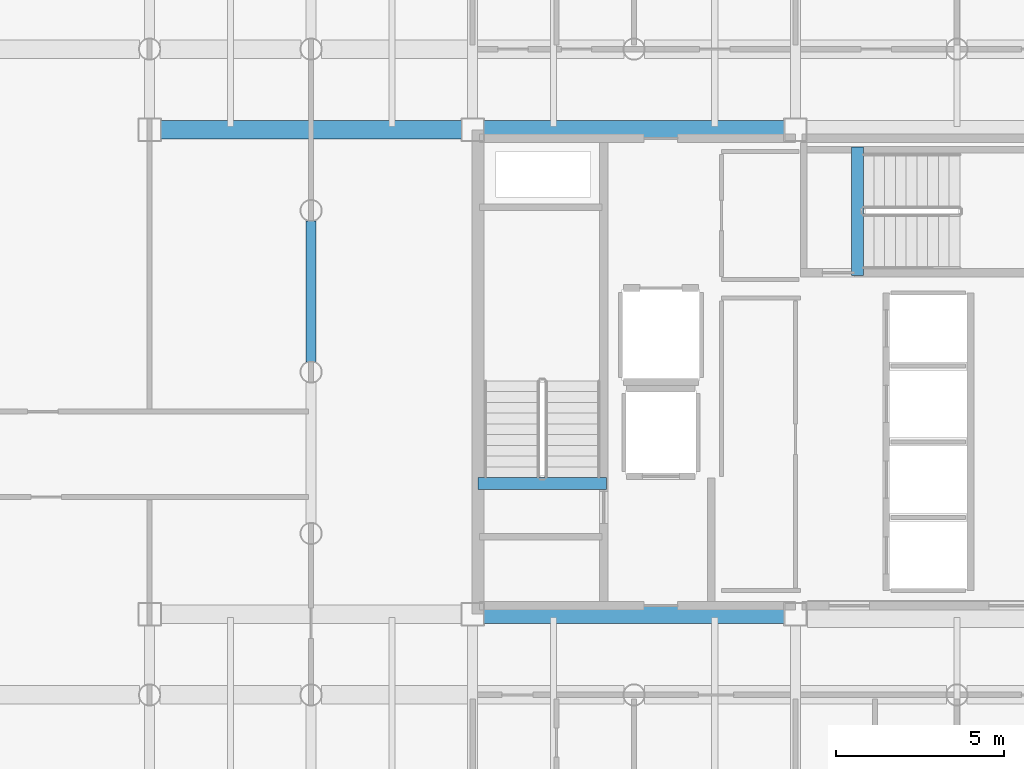
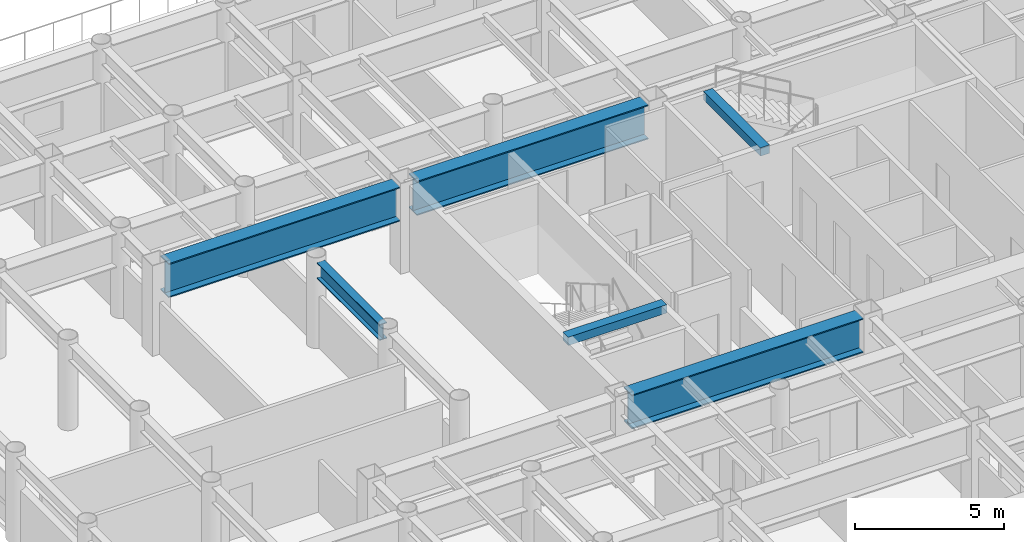
# One storey, part 6 of 22: 6 beams.
"""IFC4 building model written with IfcOpenShell, lengths in metres."""

from ifc_helpers import new_model, si_unit, direction, frame, origin, origin_2d, place, context, subcontext, project, spatial, rectangle, i_section, extrude, material, material_profile, profile_set, type_object, element, save


model = new_model("IFC4")

# Units and contexts
model_context = context("Model", 3, precision=1e-05, world=origin(), true_north=direction((0.0, 1.0)))
body_context = subcontext(model_context, "Body", "Model", "MODEL_VIEW")
ifc_project = project(units=[si_unit("LENGTHUNIT", "METRE"), si_unit("AREAUNIT", "SQUARE_METRE"), si_unit("VOLUMEUNIT", "CUBIC_METRE"), si_unit("PLANEANGLEUNIT", "RADIAN"), si_unit("MASSUNIT", "GRAM", prefix="KILO")], contexts=[model_context])

# Site, building, storey
site_placement = place(None, origin())
site = spatial("IfcSite", under=ifc_project, at=site_placement, CompositionType="ELEMENT")
building_placement = place(site_placement, origin())
building = spatial("IfcBuilding", under=site, at=building_placement, Name="Kallvorn Hotel Tower", CompositionType="ELEMENT")
storey_placement = place(building_placement, frame((0.0, 0.0, 154.39990234375)))
storey = spatial("IfcBuildingStorey", under=building, at=storey_placement, Name="L38", CompositionType="ELEMENT", Elevation=154.39990234375)

# Beams
ifc_material_1 = material(Name="Structural steel S355JR", Category="steel")
ifc_material_profile_1 = material_profile(ifc_material_1, i_section(OverallWidth=0.300048828125, OverallDepth=0.64990234375, WebThickness=0.01611328125, FlangeThickness=0.031005859375, at=origin_2d()), Name="HE 650 B")
ifc_profile_set_1 = profile_set([ifc_material_profile_1], Name="Structural steel S355JR")
beam_type_1 = type_object("IfcBeamType", Name="BM_HE650B", PredefinedType="BEAM", material=ifc_profile_set_1)
beam_1_placement = place(storey_placement, frame((-19.199951171875, 0.304931640625, 3.195068359375), z_axis=(0.0, 1.0, 0.0), x_axis=(-1.0, 0.0, 0.0)))
element("IfcBeam", 1, at=beam_1_placement, inside=storey, type_object=beam_type_1, Name="L39 Primary Y-Girder 94", PredefinedType="BEAM", context=body_context, shape_type="SweptSolid", body=[
    extrude(i_section(OverallWidth=0.300048828125, OverallDepth=0.64990234375, WebThickness=0.01611328125, FlangeThickness=0.031005859375, at=origin_2d()), origin(), (0.0, 0.0, 1.0), 4.190185546875),
])
ifc_material_2 = material(Name="Structural steel S355JR", Category="steel")
ifc_material_profile_2 = material_profile(ifc_material_2, i_section(OverallWidth=0.550048828125, OverallDepth=1.39990234375, WebThickness=0.02490234375, FlangeThickness=0.044921875, at=origin_2d()), Name="PG 1400x550x25x45")
ifc_profile_set_2 = profile_set([ifc_material_profile_2], Name="Structural steel S355JR")
beam_type_2 = type_object("IfcBeamType", Name="BM_PG_1400", PredefinedType="BEAM", material=ifc_profile_set_2)
for number, where, z_axis, x_axis, name in (
    (2, (-14.074951171875, -7.199951171875, 2.820068359375), (1.0, 0.0, 0.0), (0.0, 1.0, 0.0), "L39 Primary X-Girder 34"),
    (3, (-23.675048828125, 7.199951171875, 2.820068359375), (1.0, 0.0, 0.0), (0.0, 1.0, 0.0), "L39 Primary X-Girder 37"),
    (4, (-14.074951171875, 7.199951171875, 2.820068359375), (1.0, 0.0, 0.0), (0.0, 1.0, 0.0), "L39 Primary X-Girder 38"),
):
    element("IfcBeam", number, at=place(storey_placement, frame(where, z_axis=z_axis, x_axis=x_axis)), inside=storey, type_object=beam_type_2, Name=name, PredefinedType="BEAM", context=body_context, shape_type="SweptSolid", body=[
        extrude(i_section(OverallWidth=0.550048828125, OverallDepth=1.39990234375, WebThickness=0.02490234375, FlangeThickness=0.044921875, at=origin_2d()), origin(), (0.0, 0.0, 1.0), 8.949951171875),
    ])
ifc_material_3 = material(Name="Concrete C50/60", Category="concrete")
ifc_material_profile_3 = material_profile(ifc_material_3, rectangle(XDim=0.360107421875, YDim=0.340087890625, at=origin_2d()), Name="RC 360x340")
ifc_profile_set_3 = profile_set([ifc_material_profile_3], Name="Concrete C50/60")
beam_type_3 = type_object("IfcBeamType", Name="BM_RC_400x360", PredefinedType="BEAM", material=ifc_profile_set_3)
beam_2_placement = place(storey_placement, frame((-10.419921875, -3.31005859375, 3.35009765625), z_axis=(-1.0, 0.0, 0.0), x_axis=(0.0, -1.0, 0.0)))
element("IfcBeam", 5, at=beam_2_placement, inside=storey, type_object=beam_type_3, Name="L39 Stair ST1 Arrival Trimmer Beam", PredefinedType="BEAM", context=body_context, shape_type="SweptSolid", body=[
    extrude(rectangle(XDim=0.360107421875, YDim=0.340087890625, at=origin_2d()), origin(), (0.0, 0.0, 1.0), 3.820068359375),
])
beam_3_placement = place(storey_placement, frame((-2.9599609375, 2.8701171875, 3.35009765625), z_axis=(0.0, 1.0, 0.0), x_axis=(-1.0, 0.0, 0.0)))
element("IfcBeam", 6, at=beam_3_placement, inside=storey, type_object=beam_type_3, Name="L39 Stair ST3 Arrival Trimmer Beam", PredefinedType="BEAM", context=body_context, shape_type="SweptSolid", body=[
    extrude(rectangle(XDim=0.360107421875, YDim=0.340087890625, at=origin_2d()), origin(), (0.0, 0.0, 1.0), 3.81982421875),
])

save(model, "model.ifc")
